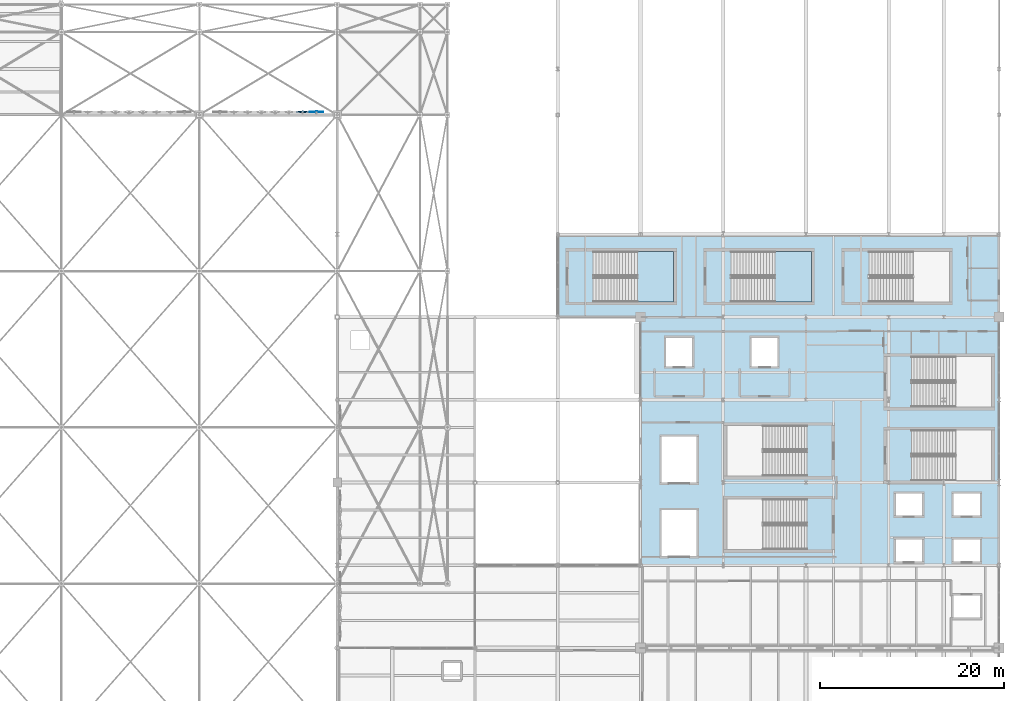
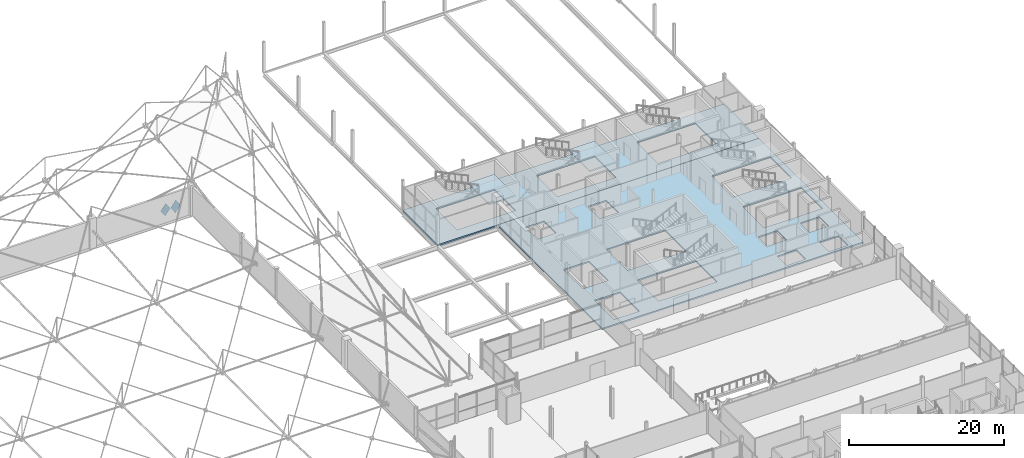
# One storey, part 173 of 224: 4 slabs, 2 plates, 2 elements without a shape of their own.
"""IFC4 building model written with IfcOpenShell, lengths in metres."""

from ifc_helpers import new_model, si_unit, direction, frame, origin, place, context, subcontext, project, spatial, polyline, outline, extrude, material, layer, layer_set, type_object, element, aggregate, save


model = new_model("IFC4")

# Units and contexts
model_context = context("Model", 3, precision=1e-05, world=origin(), true_north=direction((0.0, 1.0)))
body_context = subcontext(model_context, "Body", "Model", "MODEL_VIEW")
ifc_project = project(units=[si_unit("LENGTHUNIT", "METRE"), si_unit("AREAUNIT", "SQUARE_METRE"), si_unit("VOLUMEUNIT", "CUBIC_METRE"), si_unit("PLANEANGLEUNIT", "RADIAN"), si_unit("MASSUNIT", "GRAM", prefix="KILO")], contexts=[model_context])

# Site, building, storey
site_placement = place(None, origin())
site = spatial("IfcSite", under=ifc_project, at=site_placement, CompositionType="ELEMENT")
building_placement = place(site_placement, origin())
building = spatial("IfcBuilding", under=site, at=building_placement, Name="Qamarlyn Nura Convention Centre", CompositionType="ELEMENT")
storey_placement = place(building_placement, frame((0.0, 0.0, 10.800048828125)))
storey = spatial("IfcBuildingStorey", under=building, at=storey_placement, Name="L02", CompositionType="ELEMENT", Elevation=10.800048828125)

# Plates
ifc_material_1 = material(Name="White high-albedo PVDF aluminium composite sheet", Category="aluminium")
ifc_layer_1 = layer(ifc_material_1, 0.02001953125, Name="FP-DIAM-02")
ifc_layer_set_1 = layer_set([ifc_layer_1], Name="White high-albedo PVDF aluminium composite sheet")
plate_type_1 = type_object("IfcPlateType", Name="FP-DIAM-02", PredefinedType="SHEET", material=ifc_layer_set_1)
plate_1_placement = place(storey_placement, frame((117.75, 103.31005859375, 1.699951171875), z_axis=(0.0, 0.998797596236, 0.049024093608), x_axis=(-1.0, 0.0, 0.0)))
element("IfcPlate", 1, at=plate_1_placement, inside=storey, type_object=plate_type_1, Name="L02 pivoted white diamond facade tile 0303", PredefinedType="SHEET", context=body_context, shape_type="SweptSolid", body=[
    extrude(outline(polyline([(-0.719970703125, 0.0), (0.0, -1.050048828125), (0.719970703125, 0.0), (0.0, 1.050048828125), (-0.719970703125, 0.0)])), origin(), (0.0, 0.0, 1.0), 0.02001953125),
])
ifc_layer_2 = layer(ifc_material_1, 0.030029296875, Name="FP-DIAM-05")
ifc_layer_set_2 = layer_set([ifc_layer_2], Name="White high-albedo PVDF aluminium composite sheet")
plate_type_2 = type_object("IfcPlateType", Name="FP-DIAM-05", PredefinedType="SHEET", material=ifc_layer_set_2)
plate_2_placement = place(storey_placement, frame((116.25, 103.31005859375, 1.699951171875), z_axis=(0.0, 0.995852701205, 0.090980203904), x_axis=(-1.0, 0.0, 0.0)))
element("IfcPlate", 2, at=plate_2_placement, inside=storey, type_object=plate_type_2, Name="L02 pivoted white diamond facade tile 0302", PredefinedType="SHEET", context=body_context, shape_type="SweptSolid", body=[
    extrude(outline(polyline([(-0.719970703125, 0.0), (0.0, -1.050048828125), (0.719970703125, 0.0), (0.0, 1.050048828125), (-0.719970703125, 0.0)])), origin(), (0.0, 0.0, 1.0), 0.030029296875),
])

# Slabs
ifc_material_2 = material(Name="Concrete C40/50", Category="concrete")
ifc_layer_3 = layer(ifc_material_2, 0.219970703125, Name="SL-L02")
ifc_layer_set_3 = layer_set([ifc_layer_3], Name="Concrete C40/50")
slab_type_1 = type_object("IfcSlabType", Name="SL-L02", PredefinedType="FLOOR", material=ifc_layer_set_3)
slab_1_placement = place(storey_placement, frame((0.0, 0.0, -0.219970703125)))
element("IfcSlab", 3, at=slab_1_placement, inside=storey, type_object=slab_type_1, Name="L02 floor slab L02-M1", PredefinedType="FLOOR", context=body_context, shape_type="SweptSolid", body=[
    extrude(outline(polyline([(153.0, 54.0), (153.0, 81.0), (192.0, 81.0), (192.0, 54.0), (153.0, 54.0)]), holes=[polyline([(159.10009765625, 55.0), (159.10009765625, 60.0), (155.300048828125, 60.0), (155.300048828125, 55.0), (159.10009765625, 55.0)]), polyline([(159.10009765625, 63.0), (159.10009765625, 68.0), (155.300048828125, 68.0), (155.300048828125, 63.0), (159.10009765625, 63.0)]), polyline([(158.60009765625, 75.64990234375), (158.60009765625, 78.75), (155.800048828125, 78.75), (155.800048828125, 75.64990234375), (158.60009765625, 75.64990234375)]), polyline([(183.625, 54.39990234375), (183.625, 56.800048828125), (180.77490234375, 56.800048828125), (180.77490234375, 54.39990234375), (183.625, 54.39990234375)]), polyline([(189.925048828125, 54.39990234375), (189.925048828125, 56.800048828125), (187.074951171875, 56.800048828125), (187.074951171875, 54.39990234375), (189.925048828125, 54.39990234375)]), polyline([(171.139892578125, 61.199951171875), (162.39990234375, 61.199951171875), (162.39990234375, 55.699951171875), (171.139892578125, 55.699951171875), (171.139892578125, 61.199951171875)]), polyline([(183.625, 59.39990234375), (183.625, 61.800048828125), (180.77490234375, 61.800048828125), (180.77490234375, 59.39990234375), (183.625, 59.39990234375)]), polyline([(189.925048828125, 61.800048828125), (187.074951171875, 61.800048828125), (187.074951171875, 59.39990234375), (189.925048828125, 59.39990234375), (189.925048828125, 61.800048828125)]), polyline([(182.4599609375, 63.199951171875), (191.199951171875, 63.199951171875), (191.199951171875, 68.699951171875), (182.4599609375, 68.699951171875), (182.4599609375, 63.199951171875)]), polyline([(171.139892578125, 69.199951171875), (162.39990234375, 69.199951171875), (162.39990234375, 63.699951171875), (171.139892578125, 63.699951171875), (171.139892578125, 69.199951171875)]), polyline([(182.4599609375, 71.199951171875), (191.199951171875, 71.199951171875), (191.199951171875, 76.699951171875), (182.4599609375, 76.699951171875), (182.4599609375, 71.199951171875)]), polyline([(167.89990234375, 75.64990234375), (167.89990234375, 78.75), (165.10009765625, 78.75), (165.10009765625, 75.64990234375), (167.89990234375, 75.64990234375)])]), origin(), (0.0, 0.0, 1.0), 0.219970703125),
])
slab_2_placement = place(storey_placement, frame((0.0, 0.0, -0.219970703125)))
element("IfcSlab", 4, at=slab_2_placement, inside=storey, type_object=slab_type_1, Name="L02 floor slab L02-SI1", PredefinedType="FLOOR", context=body_context, shape_type="SweptSolid", body=[
    extrude(outline(polyline([(144.0, 81.0), (144.0, 90.0), (192.0, 90.0), (192.0, 81.0), (144.0, 81.0)]), holes=[polyline([(147.860107421875, 82.64990234375), (156.60009765625, 82.64990234375), (156.60009765625, 88.14990234375), (147.860107421875, 88.14990234375), (147.860107421875, 82.64990234375)]), polyline([(162.860107421875, 82.64990234375), (171.60009765625, 82.64990234375), (171.60009765625, 88.14990234375), (162.860107421875, 88.14990234375), (162.860107421875, 82.64990234375)]), polyline([(177.860107421875, 82.64990234375), (186.60009765625, 82.64990234375), (186.60009765625, 88.14990234375), (177.860107421875, 88.14990234375), (177.860107421875, 82.64990234375)])]), origin(), (0.0, 0.0, 1.0), 0.219970703125),
])

# Stair, slab
stair_type = type_object("IfcStairType", Name="STAIR-EXIT-48", PredefinedType="HALF_TURN_STAIR", material=ifc_material_2)
stair_1_placement = place(storey_placement, origin())
stair_1 = element("IfcStair", 5, at=stair_1_placement, inside=storey, type_object=stair_type, Name="L02 Enclosed exit stair ST-15", PredefinedType="HALF_TURN_STAIR")
ifc_layer_4 = layer(ifc_material_2, 0.199951171875, Name="SL-LAND-200")
ifc_layer_set_4 = layer_set([ifc_layer_4], Name="Concrete C40/50")
slab_type_2 = type_object("IfcSlabType", Name="SL-LAND-200", PredefinedType="LANDING", material=ifc_layer_set_4)
slab_3_placement = place(storey_placement, frame((0.0, 0.0, 2.199951171875)))
slab_3 = element("IfcSlab", 6, at=slab_3_placement, type_object=slab_type_2, Name="ST-15 landing 1", PredefinedType="LANDING", context=body_context, shape_type="SweptSolid", body=[
    extrude(outline(polyline([(152.659912109375, 82.64990234375), (156.60009765625, 82.64990234375), (156.60009765625, 88.14990234375), (152.659912109375, 88.14990234375), (152.659912109375, 82.64990234375)])), origin(), (0.0, 0.0, 1.0), 0.199951171875),
])
aggregate(stair_1, [slab_3])

stair_2_placement = place(storey_placement, origin())
stair_2 = element("IfcStair", 7, at=stair_2_placement, inside=storey, type_object=stair_type, Name="L02 Enclosed exit stair ST-16", PredefinedType="HALF_TURN_STAIR")
slab_4_placement = place(storey_placement, frame((0.0, 0.0, 2.199951171875)))
slab_4 = element("IfcSlab", 8, at=slab_4_placement, type_object=slab_type_2, Name="ST-16 landing 1", PredefinedType="LANDING", context=body_context, shape_type="SweptSolid", body=[
    extrude(outline(polyline([(167.659912109375, 82.64990234375), (171.60009765625, 82.64990234375), (171.60009765625, 88.14990234375), (167.659912109375, 88.14990234375), (167.659912109375, 82.64990234375)])), origin(), (0.0, 0.0, 1.0), 0.199951171875),
])
aggregate(stair_2, [slab_4])

save(model, "model.ifc")
